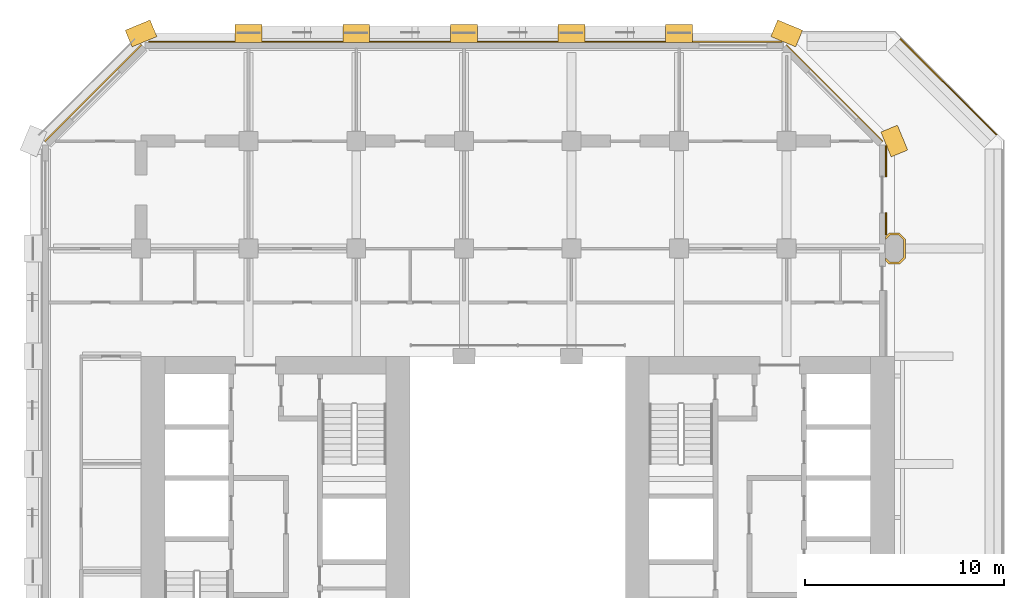
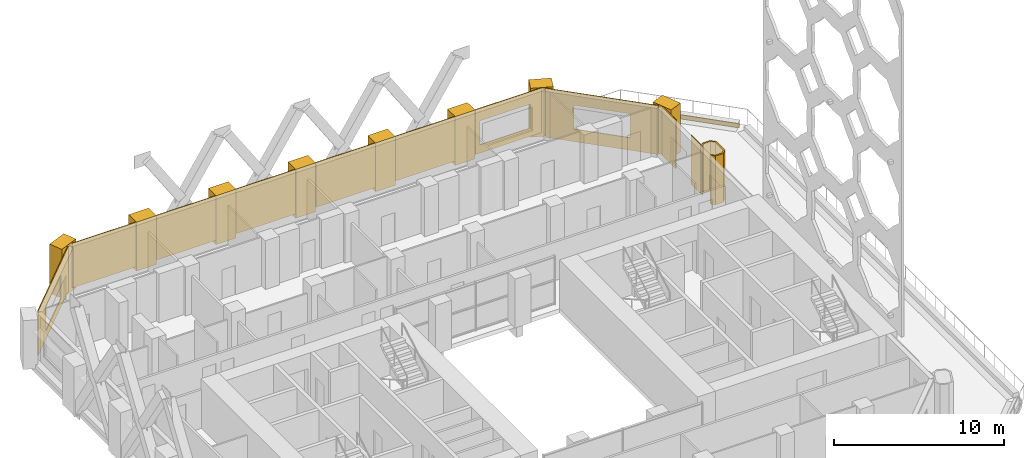
# One storey, part 14 of 14: 20 coverings.
"""IFC4 building model written with IfcOpenShell, lengths in metres."""

from ifc_helpers import new_model, si_unit, direction, frame, frame_2d, origin, place, context, subcontext, project, spatial, polyline, rectangle, outline, extrude, material, layer, layer_set, type_object, element, save


model = new_model("IFC4")

# Units and contexts
model_context = context("Model", 3, precision=1e-05, world=origin(), true_north=direction((0.0, 1.0)))
body_context = subcontext(model_context, "Body", "Model", "MODEL_VIEW")
ifc_project = project(units=[si_unit("LENGTHUNIT", "METRE"), si_unit("AREAUNIT", "SQUARE_METRE"), si_unit("VOLUMEUNIT", "CUBIC_METRE"), si_unit("PLANEANGLEUNIT", "RADIAN"), si_unit("MASSUNIT", "GRAM", prefix="KILO")], contexts=[model_context])

# Site, building, storey
site_placement = place(None, origin())
site = spatial("IfcSite", under=ifc_project, at=site_placement, CompositionType="ELEMENT")
building_placement = place(site_placement, origin())
building = spatial("IfcBuilding", under=site, at=building_placement, Name="Tabaq Tower and Sports Hall", CompositionType="ELEMENT")
storey_placement = place(building_placement, frame((0.0, 0.0, 95.39990234375)))
storey = spatial("IfcBuildingStorey", under=building, at=storey_placement, Name="L22", CompositionType="ELEMENT", Elevation=95.39990234375)

# Coverings
ifc_material_1 = material(Name="Precast concrete C60/75", Category="concrete")
ifc_layer_1 = layer(ifc_material_1, 0.10009765625)
ifc_layer_set_1 = layer_set([ifc_layer_1], Name="Column cladding 100")
covering_type_1 = type_object("IfcCoveringType", Name="Column cladding 100", PredefinedType="CLADDING", material=ifc_layer_set_1)
covering_1_placement = place(storey_placement, origin())
element("IfcCovering", 1, at=covering_1_placement, inside=storey, type_object=covering_type_1, Name="Column cladding L22 PC-9H-O3", PredefinedType="CLADDING", context=body_context, shape_type="SweptSolid", body=[
    extrude(outline(polyline([(42.93359375, 37.025390625), (42.750244140625, 37.208740234375), (42.750244140625, 37.349365234375), (42.974853515625, 37.124755859375), (43.425048828125, 37.124755859375), (43.650390625, 37.349853515625), (43.650390625, 38.250244140625), (43.425048828125, 38.475341796875), (42.974853515625, 38.475341796875), (42.750244140625, 38.250732421875), (42.750244140625, 38.391357421875), (42.93359375, 38.57470703125), (43.46630859375, 38.57470703125), (43.749755859375, 38.291259765625), (43.749755859375, 37.30859375), (43.46630859375, 37.025390625), (42.93359375, 37.025390625)])), origin(), (0.0, 0.0, 1.0), 3.5),
])
ifc_material_2 = material(Name="Precast concrete C60/75", Category="concrete")
ifc_layer_2 = layer(ifc_material_2, 0.06005859375)
ifc_layer_set_2 = layer_set([ifc_layer_2], Name="Edge beam cladding 60")
covering_type_2 = type_object("IfcCoveringType", Name="Edge beam cladding 60", PredefinedType="CLADDING", material=ifc_layer_set_2)
covering_2_placement = place(storey_placement, frame((48.3369140625, 43.505615234375, -0.2998046875), z_axis=(0.0, 0.0, 1.0), x_axis=(-0.707106781187, 0.707106781187, 0.0)))
element("IfcCovering", 2, at=covering_2_placement, inside=storey, type_object=covering_type_2, Name="Edge beam cladding L22 7", PredefinedType="CLADDING", context=body_context, shape_type="SweptSolid", body=[
    extrude(rectangle(XDim=6.83251953125, YDim=0.06005859375, at=frame_2d((3.416259765625, 0.0))), origin(), (0.0, 0.0, 1.0), 0.2998046875),
])
ifc_material_3 = material(Name="White precast concrete C60/75", Category="concrete")
covering_type_3 = type_object("IfcCoveringType", Name="Pier cladding hung 1350x900", PredefinedType="CLADDING", material=ifc_material_3)
for number, where, z_axis, x_axis, name in (
    (3, (6.023681640625, 48.8583984375, 0.0), (0.0, 0.0, 1.0), (-0.923893411637, -0.382649923473, 0.0), "Hung pier cladding 1/9"),
    (4, (11.47509765625, 48.60009765625, 0.0), (0.0, 0.0, 1.0), (-1.0, 0.0, 0.0), "Hung pier cladding 2/9"),
    (5, (16.875, 48.60009765625, 0.0), (0.0, 0.0, 1.0), (-1.0, 0.0, 0.0), "Hung pier cladding 3/9"),
):
    element("IfcCovering", number, at=place(storey_placement, frame(where, z_axis=z_axis, x_axis=x_axis)), inside=storey, type_object=covering_type_3, Name=name, PredefinedType="CLADDING", context=body_context, shape_type="SweptSolid", body=[
        extrude(rectangle(XDim=1.35009765625, YDim=0.89990234375, at=frame_2d((0.675048828125, 0.0))), origin(), (0.0, 0.0, 1.0), 3.5),
    ])
covering_3_placement = place(storey_placement, frame((22.27490234375, 48.60009765625, 0.0), z_axis=(0.0, 0.0, 1.0), x_axis=(-1.0, 0.0, 0.0)))
element("IfcCovering", 6, at=covering_3_placement, inside=storey, type_object=covering_type_3, Name="Hung pier cladding 4/9", PredefinedType="CLADDING", context=body_context, shape_type="SweptSolid", body=[
    extrude(rectangle(XDim=1.349853515625, YDim=0.89990234375, at=frame_2d((0.6748046875, 0.0))), origin(), (0.0, 0.0, 1.0), 3.5),
])
covering_4_placement = place(storey_placement, frame((27.675048828125, 48.60009765625, 0.0), z_axis=(0.0, 0.0, 1.0), x_axis=(-1.0, 0.0, 0.0)))
element("IfcCovering", 7, at=covering_4_placement, inside=storey, type_object=covering_type_3, Name="Hung pier cladding 5/9", PredefinedType="CLADDING", context=body_context, shape_type="SweptSolid", body=[
    extrude(rectangle(XDim=1.35009765625, YDim=0.89990234375, at=frame_2d((0.675048828125, 0.0))), origin(), (0.0, 0.0, 1.0), 3.5),
])
covering_5_placement = place(storey_placement, frame((33.074951171875, 48.60009765625, 0.0), z_axis=(0.0, 0.0, 1.0), x_axis=(-1.0, 0.0, 0.0)))
element("IfcCovering", 8, at=covering_5_placement, inside=storey, type_object=covering_type_3, Name="Hung pier cladding 6/9", PredefinedType="CLADDING", context=body_context, shape_type="SweptSolid", body=[
    extrude(rectangle(XDim=1.349853515625, YDim=0.89990234375, at=frame_2d((0.6748046875, 0.0))), origin(), (0.0, 0.0, 1.0), 3.5),
])
for number, where, z_axis, x_axis, name in (
    (9, (38.423583984375, 48.341796875, 0.0), (0.0, 0.0, 1.0), (-0.923893411637, 0.382649923473, 0.0), "Hung pier cladding 7/9"),
    (10, (43.458251953125, 42.576416015625, 0.0), (0.0, 0.0, 1.0), (-0.382649923473, 0.923893411637, 0.0), "Hung pier cladding 8/8"),
):
    element("IfcCovering", number, at=place(storey_placement, frame(where, z_axis=z_axis, x_axis=x_axis)), inside=storey, type_object=covering_type_3, Name=name, PredefinedType="CLADDING", context=body_context, shape_type="SweptSolid", body=[
        extrude(rectangle(XDim=1.35009765625, YDim=0.89990234375, at=frame_2d((0.675048828125, 0.0))), origin(), (0.0, 0.0, 1.0), 3.5),
    ])
ifc_material_4 = material(Name="Precast concrete C60/75", Category="concrete")
ifc_layer_3 = layer(ifc_material_4, 0.06005859375)
ifc_layer_set_3 = layer_set([ifc_layer_3], Name="White precast cladding panel 60 C60/75")
covering_type_4 = type_object("IfcCoveringType", Name="White precast cladding panel 60 C60/75", PredefinedType="CLADDING", material=ifc_layer_set_3)
covering_6_placement = place(storey_placement, frame((42.780029296875, 38.485107421875, 0.0), z_axis=(0.0, 0.0, 1.0), x_axis=(0.0, 1.0, 0.0)))
element("IfcCovering", 11, at=covering_6_placement, inside=storey, type_object=covering_type_4, Name="White precast cladding panel L22 wall02-1 2", PredefinedType="CLADDING", context=body_context, shape_type="SweptSolid", body=[
    extrude(rectangle(XDim=1.10498046875, YDim=0.06005859375, at=frame_2d((0.552490234375, 0.0))), origin(), (0.0, 0.0, 1.0), 3.5),
])
covering_7_placement = place(storey_placement, frame((42.780029296875, 41.409912109375, 0.0), z_axis=(0.0, 0.0, 1.0), x_axis=(0.0, 1.0, 0.0)))
element("IfcCovering", 12, at=covering_7_placement, inside=storey, type_object=covering_type_4, Name="White precast cladding panel L22 wall02-1 3", PredefinedType="CLADDING", context=body_context, shape_type="SweptSolid", body=[
    extrude(rectangle(XDim=1.546875, YDim=0.06005859375, at=frame_2d((0.7734375, 0.0))), origin(), (0.0, 0.0, 1.0), 3.5),
])
covering_8_placement = place(storey_placement, frame((42.628173828125, 43.177734375, 0.0), z_axis=(0.0, 0.0, 1.0), x_axis=(-0.707088985397, 0.707124576528, 0.0)))
element("IfcCovering", 13, at=covering_8_placement, inside=storey, type_object=covering_type_4, Name="White precast cladding panel L22 wall03", PredefinedType="CLADDING", context=body_context, shape_type="SweptSolid", body=[
    extrude(outline(polyline([(0.0, 0.0), (6.859619140625, 0.0), (6.859619140625, 3.5), (0.0, 3.5), (0.0, 0.0)]), holes=[polyline([(1.7197265625, 0.89013671875), (1.7197265625, 2.610107421875), (5.139892578125, 2.610107421875), (5.139892578125, 0.89013671875), (1.7197265625, 0.89013671875)])]), frame((0.0, 0.030029296875, 0.0), z_axis=(0.0, -1.0, 0.0), x_axis=(1.0, 0.0, 0.0)), (0.0, 0.0, 1.0), 0.06005859375),
])
covering_9_placement = place(storey_placement, frame((37.556884765625, 48.179931640625, 0.31005859375), z_axis=(0.0, 0.0, 1.0), x_axis=(-1.0, 0.0, 0.0)))
element("IfcCovering", 14, at=covering_9_placement, inside=storey, type_object=covering_type_4, Name="White precast cladding panel L22 wall04", PredefinedType="CLADDING", context=body_context, shape_type="SweptSolid", body=[
    extrude(outline(polyline([(0.0, 0.0), (4.471923828125, 0.0), (4.471923828125, 3.18994140625), (0.0, 3.18994140625), (0.0, 0.0)]), holes=[polyline([(0.746826171875, 0.580078125), (0.746826171875, 2.300048828125), (4.166748046875, 2.300048828125), (4.166748046875, 0.580078125), (0.746826171875, 0.580078125)])]), frame((0.0, 0.030029296875, 0.0), z_axis=(0.0, -1.0, 0.0), x_axis=(1.0, 0.0, 0.0)), (0.0, 0.0, 1.0), 0.06005859375),
])
for number, where, z_axis, x_axis, name in (
    (15, (31.715087890625, 48.179931640625, 0.31005859375), (0.0, 0.0, 1.0), (-1.0, 0.0, 0.0), "White precast cladding panel L22 wall04 2"),
    (16, (26.31494140625, 48.179931640625, 0.31005859375), (0.0, 0.0, 1.0), (-1.0, 0.0, 0.0), "White precast cladding panel L22 wall04 3"),
    (17, (20.9150390625, 48.179931640625, 0.31005859375), (0.0, 0.0, 1.0), (-1.0, 0.0, 0.0), "White precast cladding panel L22 wall04 4"),
):
    element("IfcCovering", number, at=place(storey_placement, frame(where, z_axis=z_axis, x_axis=x_axis)), inside=storey, type_object=covering_type_4, Name=name, PredefinedType="CLADDING", context=body_context, shape_type="SweptSolid", body=[
        extrude(rectangle(XDim=4.030029296875, YDim=0.06005859375, at=frame_2d((2.01513671875, 0.0))), origin(), (0.0, 0.0, 1.0), 3.18994140625),
    ])
covering_10_placement = place(storey_placement, frame((15.514892578125, 48.179931640625, 0.31005859375), z_axis=(0.0, 0.0, 1.0), x_axis=(-1.0, 0.0, 0.0)))
element("IfcCovering", 18, at=covering_10_placement, inside=storey, type_object=covering_type_4, Name="White precast cladding panel L22 wall04 5", PredefinedType="CLADDING", context=body_context, shape_type="SweptSolid", body=[
    extrude(rectangle(XDim=4.02978515625, YDim=0.06005859375, at=frame_2d((2.014892578125, 0.0))), origin(), (0.0, 0.0, 1.0), 3.18994140625),
])
covering_11_placement = place(storey_placement, frame((10.114990234375, 48.179931640625, 0.31005859375), z_axis=(0.0, 0.0, 1.0), x_axis=(-1.0, 0.0, 0.0)))
element("IfcCovering", 19, at=covering_11_placement, inside=storey, type_object=covering_type_4, Name="White precast cladding panel L22 wall04 6", PredefinedType="CLADDING", context=body_context, shape_type="SweptSolid", body=[
    extrude(rectangle(XDim=4.322998046875, YDim=0.06005859375, at=frame_2d((2.16162109375, 0.0))), origin(), (0.0, 0.0, 1.0), 3.18994140625),
])
covering_12_placement = place(storey_placement, frame((5.419677734375, 48.02587890625, 0.31005859375), z_axis=(0.0, 0.0, 1.0), x_axis=(-0.707088967465, -0.70712459446, 0.0)))
element("IfcCovering", 20, at=covering_12_placement, inside=storey, type_object=covering_type_4, Name="White precast cladding panel L22 wall05", PredefinedType="CLADDING", context=body_context, shape_type="SweptSolid", body=[
    extrude(outline(polyline([(0.0, 0.0), (6.852783203125, 0.0), (6.852783203125, 3.18994140625), (0.0, 3.18994140625), (0.0, 0.0)]), holes=[polyline([(1.71630859375, 0.580078125), (1.71630859375, 2.300048828125), (5.13623046875, 2.300048828125), (5.13623046875, 0.580078125), (1.71630859375, 0.580078125)])]), frame((0.0, 0.030029296875, 0.0), z_axis=(0.0, -1.0, 0.0), x_axis=(1.0, 0.0, 0.0)), (0.0, 0.0, 1.0), 0.06005859375),
])

save(model, "model.ifc")
